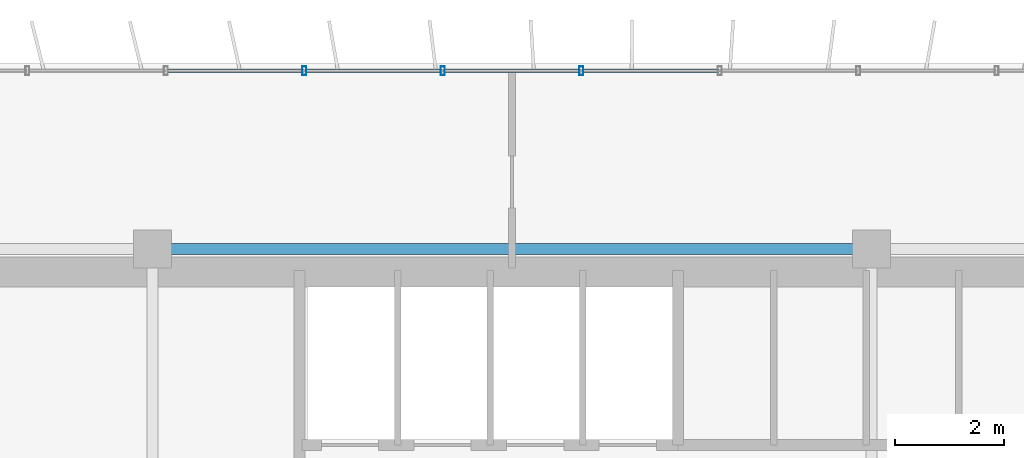
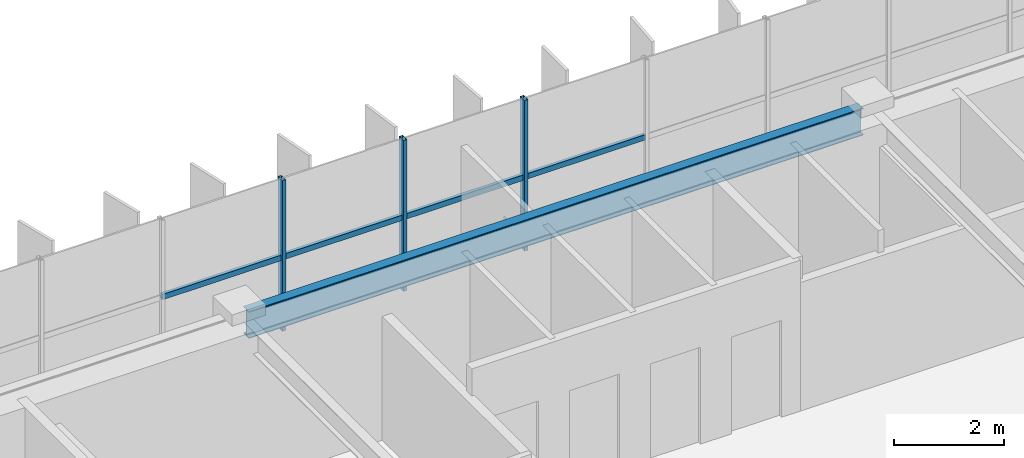
# One storey, part 10 of 24: 7 members, 1 beam, 1 element without a shape of its own.
"""IFC4 building model written with IfcOpenShell, lengths in metres."""

import ifcopenshell
import ifcopenshell.guid

model = None  # the IFC model being written
_history = None  # IfcOwnerHistory: only IFC2X3 demands one
_inside = {}  # id of a spatial element -> (the spatial element, [elements in it])
_under = {}  # id of a project, library or spatial element -> (it, [spatial elements below it])
_declared = {}  # id of a project -> (the project, [libraries it declares])
_typed = {}  # id of a type object -> (the type object, [elements of that type])
_made_of = {}  # id of a material, layer set ... -> (it, [elements and type objects made of it])


def new_model(schema):
    """Start an empty IFC model of exactly this schema.

    Asked for "IFC4X3", IfcOpenShell would pick the latest addendum, in which some entities
    have other attributes; the version numbers below select the first issue.
    IFC2X3 requires an IfcOwnerHistory on every rooted entity: one is made here for all.
    """
    global model, _history
    if schema == "IFC4X3":
        model = ifcopenshell.file(schema_version=(4, 3, 0, 0))
    else:
        model = ifcopenshell.file(schema=schema)
    _inside.clear()
    _under.clear()
    _declared.clear()
    _typed.clear()
    _made_of.clear()
    _history = None
    if model.schema == "IFC2X3":
        org = make("IfcOrganization", Name="unknown")
        user = make(
            "IfcPersonAndOrganization",
            ThePerson=make("IfcPerson", FamilyName="unknown"),
            TheOrganization=org,
        )
        app = make(
            "IfcApplication",
            ApplicationDeveloper=org,
            Version="unknown",
            ApplicationFullName="unknown",
            ApplicationIdentifier="unknown",
        )
        _history = make(
            "IfcOwnerHistory",
            OwningUser=user,
            OwningApplication=app,
            ChangeAction="ADDED",
            CreationDate=0,
        )
    return model


def make(cls, **values):
    """One entity of the class cls with the attributes given. An attribute that is None is left unset."""
    return model.create_entity(
        cls, **{name: value for name, value in values.items() if value is not None}
    )


def rooted(cls, **values):
    """An entity with a GlobalId (a new one), such as an element, a storey or a relation."""
    return make(cls, GlobalId=ifcopenshell.guid.new(), OwnerHistory=_history, **values)


def si_unit(unit_type, name, prefix=None):
    """IfcSIUnit, for example si_unit("LENGTHUNIT", "METRE", prefix="MILLI")."""
    return make("IfcSIUnit", UnitType=unit_type, Prefix=prefix, Name=name)


def assignment(units):
    """IfcUnitAssignment: the units of a project."""
    return None if units is None else make("IfcUnitAssignment", Units=units)


def point(xyz):
    """IfcCartesianPoint."""
    return None if xyz is None else make("IfcCartesianPoint", Coordinates=xyz)


def direction(xyz):
    """IfcDirection."""
    return None if xyz is None else make("IfcDirection", DirectionRatios=xyz)


def frame(location, z_axis=None, x_axis=None):
    """IfcAxis2Placement3D, a coordinate frame: its origin and axes. An axis left out is left unset."""
    return make(
        "IfcAxis2Placement3D",
        Location=point(location),
        Axis=direction(z_axis),
        RefDirection=direction(x_axis),
    )


def frame_2d(location, x_axis=None):
    """IfcAxis2Placement2D, a coordinate frame in the plane: its origin and x axis."""
    return make(
        "IfcAxis2Placement2D", Location=point(location), RefDirection=direction(x_axis)
    )


def origin():
    """The frame at (0, 0, 0) with its axes left unset."""
    return frame((0.0, 0.0, 0.0))


def origin_2d():
    """The frame at (0, 0) in the plane with its x axis left unset."""
    return frame_2d((0.0, 0.0))


def place(relative_to, where):
    """IfcLocalPlacement: puts the frame where relative to a parent placement (None: the world)."""
    return make(
        "IfcLocalPlacement", PlacementRelTo=relative_to, RelativePlacement=where
    )


def context(
    kind, dimensions, precision=None, world=None, true_north=None, identifier=None
):
    """IfcGeometricRepresentationContext, for example the 3D "Model" context."""
    return make(
        "IfcGeometricRepresentationContext",
        ContextIdentifier=identifier,
        ContextType=kind,
        CoordinateSpaceDimension=dimensions,
        Precision=precision,
        WorldCoordinateSystem=world,
        TrueNorth=true_north,
    )


def subcontext(parent, identifier, kind, view, scale=None):
    """IfcGeometricRepresentationSubContext, for example "Body" below "Model"."""
    return make(
        "IfcGeometricRepresentationSubContext",
        ContextIdentifier=identifier,
        ContextType=kind,
        ParentContext=parent,
        TargetScale=scale,
        TargetView=view,
    )


def project(units=None, contexts=None):
    """IfcProject with its units and contexts."""
    return rooted(
        "IfcProject",
        Name="project",
        RepresentationContexts=contexts,
        UnitsInContext=assignment(units),
    )


def spatial(cls, under=None, at=None, **own):
    """A site, building, storey or space (cls), placed at a placement, below another one or the project."""
    s = rooted(cls, ObjectPlacement=at, **own)
    if under is not None:
        _under.setdefault(under.id(), (under, []))[1].append(s)
    return s


def profile(cls, at=None, kind="AREA", **sizes):
    """A parametric profile (cls). Its sizes go by their IFC names, for example OverallWidth=200.0."""
    return make(cls, ProfileType=kind, Position=at, **sizes)


def hollow_rectangle(**sizes):
    """IfcRectangleHollowProfileDef."""
    return profile("IfcRectangleHollowProfileDef", **sizes)


def i_section(**sizes):
    """IfcIShapeProfileDef."""
    return profile("IfcIShapeProfileDef", **sizes)


def extrude(swept, where, along, depth):
    """IfcExtrudedAreaSolid: the profile swept, set in the frame where, extruded along a direction by depth."""
    return make(
        "IfcExtrudedAreaSolid",
        SweptArea=swept,
        Position=where,
        ExtrudedDirection=direction(along),
        Depth=depth,
    )


def shape(context_of_items, identifier, shape_type, items):
    """IfcShapeRepresentation: the items that make up one representation, for example the "Body"."""
    return make(
        "IfcShapeRepresentation",
        ContextOfItems=context_of_items,
        RepresentationIdentifier=identifier,
        RepresentationType=shape_type,
        Items=items,
    )


def source(mapping_origin, context_of_items, identifier, shape_type, items):
    """IfcRepresentationMap: a shape defined once, which mapped items show again and again."""
    return make(
        "IfcRepresentationMap",
        MappingOrigin=mapping_origin,
        MappedRepresentation=shape(context_of_items, identifier, shape_type, items),
    )


def transform(
    local_origin,
    x_axis=None,
    y_axis=None,
    z_axis=None,
    scale=None,
    scale2=None,
    scale3=None,
    uniform=True,
):
    """IfcCartesianTransformationOperator3D, or its non-uniform kind. x_axis, y_axis, z_axis: its Axis1, 2, 3."""
    if uniform:
        return make(
            "IfcCartesianTransformationOperator3D",
            Axis1=direction(x_axis),
            Axis2=direction(y_axis),
            LocalOrigin=point(local_origin),
            Scale=scale,
            Axis3=direction(z_axis),
        )
    return make(
        "IfcCartesianTransformationOperator3DnonUniform",
        Axis1=direction(x_axis),
        Axis2=direction(y_axis),
        LocalOrigin=point(local_origin),
        Scale=scale,
        Axis3=direction(z_axis),
        Scale2=scale2,
        Scale3=scale3,
    )


def mapped(mapping_source, mapping_target):
    """IfcMappedItem: shows the shape of a source again, moved by a transform."""
    return make(
        "IfcMappedItem", MappingSource=mapping_source, MappingTarget=mapping_target
    )


def material(Name=None, Category=None):
    """IfcMaterial."""
    return make("IfcMaterial", Name=Name, Category=Category)


def material_profile(
    of_material, cross_section, Name=None, Category=None, Priority=None
):
    """IfcMaterialProfile: a cross section and its material."""
    return make(
        "IfcMaterialProfile",
        Name=Name,
        Material=of_material,
        Profile=cross_section,
        Priority=Priority,
        Category=Category,
    )


def profile_set(profiles, Name=None, composite=None):
    """IfcMaterialProfileSet."""
    return make(
        "IfcMaterialProfileSet",
        Name=Name,
        MaterialProfiles=profiles,
        CompositeProfile=composite,
    )


def made_of(thing, what):
    """Note that an element or type object is made of a material, layer set ...; save() writes the relation."""
    if what is not None:
        _made_of.setdefault(what.id(), (what, []))[1].append(thing)
    return thing


def type_object(cls, material=None, **own):
    """A type object (cls), such as IfcWallType, which elements share."""
    return made_of(rooted(cls, **own), material)


def element(
    cls,
    number,
    at=None,
    inside=None,
    cuts=None,
    type_object=None,
    material=None,
    context=None,
    identifier="Body",
    shape_type=None,
    held_by="IfcProductDefinitionShape",
    body=None,
    shapes=None,
    **own,
):
    """One element of the class cls, such as IfcWall. Its Tag is "e" and its number.

    at: its placement. inside: the storey or other place that contains it. cuts: it is an
    opening in that element (IfcRelVoidsElement). A single representation is given by context,
    identifier, shape_type and body (its items); several are given by shapes. held_by: the class
    of the entity that holds the representations. save() writes the other relations.
    """
    e = rooted(cls, Tag="e%d" % number, ObjectPlacement=at, **own)
    if body is not None:
        shapes = [shape(context, identifier, shape_type, body)]
    if shapes is not None:
        e.Representation = make(held_by, Representations=shapes)
    if inside is not None:
        _inside.setdefault(inside.id(), (inside, []))[1].append(e)
    if cuts is not None:
        rooted(
            "IfcRelVoidsElement", RelatingBuildingElement=cuts, RelatedOpeningElement=e
        )
    if type_object is not None:
        _typed.setdefault(type_object.id(), (type_object, []))[1].append(e)
    return made_of(e, material)


def aggregate(whole, parts):
    """IfcRelAggregates: a whole, such as a stair, and the parts it consists of."""
    return rooted("IfcRelAggregates", RelatingObject=whole, RelatedObjects=parts)


def save(model, path):
    """Write the relations noted so far, then the file.

    IfcRelAggregates (storeys below a building ...), IfcRelContainedInSpatialStructure (elements
    in a storey), IfcRelDefinesByType, IfcRelAssociatesMaterial and IfcRelDeclares: one each for
    every whole, place, type object, material and project.
    """
    for whole, parts in _under.values():
        aggregate(whole, parts)
    for where, things in _inside.values():
        rooted(
            "IfcRelContainedInSpatialStructure",
            RelatedElements=things,
            RelatingStructure=where,
        )
    for kind, things in _typed.values():
        rooted("IfcRelDefinesByType", RelatedObjects=things, RelatingType=kind)
    for what, things in _made_of.values():
        rooted("IfcRelAssociatesMaterial", RelatedObjects=things, RelatingMaterial=what)
    for by, libraries in _declared.values():
        rooted("IfcRelDeclares", RelatingContext=by, RelatedDefinitions=libraries)
    model.write(path)


model = new_model("IFC4")

# Units and contexts
model_context = context("Model", 3, precision=1e-05, world=origin(), true_north=direction((0.0, 1.0)))
body_context = subcontext(model_context, "Body", "Model", "MODEL_VIEW")
ifc_project = project(units=[si_unit("LENGTHUNIT", "METRE"), si_unit("AREAUNIT", "SQUARE_METRE"), si_unit("VOLUMEUNIT", "CUBIC_METRE"), si_unit("PLANEANGLEUNIT", "RADIAN"), si_unit("MASSUNIT", "GRAM", prefix="KILO")], contexts=[model_context])

# Site, building, storey
site_placement = place(None, origin())
site = spatial("IfcSite", under=ifc_project, at=site_placement, CompositionType="ELEMENT")
building_placement = place(site_placement, origin())
building = spatial("IfcBuilding", under=site, at=building_placement, Name="Trelvane Seafront Commons", CompositionType="ELEMENT")
storey_placement = place(building_placement, frame((0.0, 0.0, 175.300048828125)))
storey = spatial("IfcBuildingStorey", under=building, at=storey_placement, Name="L46", CompositionType="ELEMENT", Elevation=175.300048828125)

# Beam
ifc_material_1 = material(Name="Steel SM355 (S355)", Category="steel")
ifc_material_profile_1 = material_profile(ifc_material_1, i_section(OverallWidth=0.199951171875, OverallDepth=0.60009765625, WebThickness=0.010986328125, FlangeThickness=0.01708984375, at=origin_2d()), Name="H-600x200x11x17")
ifc_profile_set_1 = profile_set([ifc_material_profile_1], Name="Steel SM355 (S355)")
beam_type = type_object("IfcBeamType", Name="STR-SPD-H600", PredefinedType="SPANDREL", material=ifc_profile_set_1)
shared_shape_1 = source(origin(), body_context, "Body", "SweptSolid", [
    extrude(i_section(OverallWidth=0.199951171875, OverallDepth=0.60009765625, WebThickness=0.010986328125, FlangeThickness=0.01708984375, at=origin_2d()), origin(), (0.0, 0.0, 1.0), 12.89990234375),
])
beam_placement = place(storey_placement, frame((30.75, 45.10009765625, 3.050048828125), z_axis=(1.0, 0.0, 0.0), x_axis=(0.0, 1.0, 0.0)))
element("IfcBeam", 1, at=beam_placement, inside=storey, type_object=beam_type, Name="L46 Primary Girder G-25", PredefinedType="SPANDREL", context=body_context, shape_type="MappedRepresentation", body=[
    mapped(shared_shape_1, transform((0.0, 0.0, 0.0), x_axis=(1.0, 0.0, 0.0), y_axis=(0.0, 1.0, 0.0), z_axis=(0.0, 0.0, 1.0), scale=1.0)),
])

# Curtain wall, members
ifc_material_2 = material(Name="Anodised pale-silver aluminium", Category="aluminium")
curtain_wall_type = type_object("IfcCurtainWallType", Name="ARCH-CW5-UPTOWER", PredefinedType="NOTDEFINED", material=ifc_material_2)
curtain_wall_placement = place(storey_placement, origin())
curtain_wall = element("IfcCurtainWall", 2, at=curtain_wall_placement, inside=storey, type_object=curtain_wall_type, Name="CW-L46-0073", PredefinedType="NOTDEFINED")
ifc_material_profile_2 = material_profile(ifc_material_2, hollow_rectangle(XDim=0.070068359375, YDim=0.1201171875, WallThickness=0.00390625, at=origin_2d()), Name="TRAN-70x120x4")
ifc_profile_set_2 = profile_set([ifc_material_profile_2], Name="Anodised pale-silver aluminium")
member_type_1 = type_object("IfcMemberType", Name="ARCH-CW-TRAN-120", PredefinedType="USERDEFINED", material=ifc_profile_set_2)
shared_shape_2 = source(origin(), body_context, "Body", "SweptSolid", [
    extrude(hollow_rectangle(XDim=0.070068359375, YDim=0.1201171875, WallThickness=0.00390625, at=origin_2d()), origin(), (0.0, 0.0, 1.0), 2.51708984375),
])
member_1_placement = place(storey_placement, frame((30.859130859375, 48.3701171875, 1.60791015625), z_axis=(1.0, 0.0, 0.0), x_axis=(0.0, 1.0, 0.0)))
member_1 = element("IfcMember", 3, at=member_1_placement, type_object=member_type_1, Name="CW-L46-0073-T06", ObjectType="TRANSOM", PredefinedType="USERDEFINED", context=body_context, shape_type="MappedRepresentation", body=[
    mapped(shared_shape_2, transform((0.0, 0.0, 0.0), x_axis=(1.0, 0.0, 0.0), y_axis=(0.0, 1.0, 0.0), z_axis=(0.0, 0.0, 1.0), scale=1.0)),
])
member_2_placement = place(storey_placement, frame((35.94140625, 48.3701171875, 1.60791015625), z_axis=(1.0, 0.0, 0.0), x_axis=(0.0, 1.0, 0.0)))
member_2 = element("IfcMember", 4, at=member_2_placement, type_object=member_type_1, Name="CW-L46-0073-T08", ObjectType="TRANSOM", PredefinedType="USERDEFINED", context=body_context, shape_type="MappedRepresentation", body=[
    mapped(shared_shape_2, transform((0.0, 0.0, 0.0), x_axis=(1.0, 0.0, 0.0), y_axis=(0.0, 1.0, 0.0), z_axis=(0.0, 0.0, 1.0), scale=1.0)),
])
member_3_placement = place(storey_placement, frame((38.482666015625, 48.3701171875, 1.60791015625), z_axis=(1.0, 0.0, 0.0), x_axis=(0.0, 1.0, 0.0)))
member_3 = element("IfcMember", 5, at=member_3_placement, type_object=member_type_1, Name="CW-L46-0073-T09", ObjectType="TRANSOM", PredefinedType="USERDEFINED", context=body_context, shape_type="MappedRepresentation", body=[
    mapped(shared_shape_2, transform((0.0, 0.0, 0.0), x_axis=(1.0, 0.0, 0.0), y_axis=(0.0, 1.0, 0.0), z_axis=(0.0, 0.0, 1.0), scale=1.0)),
])
shared_shape_3 = source(origin(), body_context, "Body", "SweptSolid", [
    extrude(hollow_rectangle(XDim=0.070068359375, YDim=0.1201171875, WallThickness=0.00390625, at=origin_2d()), origin(), (0.0, 0.0, 1.0), 2.517333984375),
])
member_4_placement = place(storey_placement, frame((33.400146484375, 48.3701171875, 1.60791015625), z_axis=(1.0, 0.0, 0.0), x_axis=(0.0, 1.0, 0.0)))
member_4 = element("IfcMember", 6, at=member_4_placement, type_object=member_type_1, Name="CW-L46-0073-T07", ObjectType="TRANSOM", PredefinedType="USERDEFINED", context=body_context, shape_type="MappedRepresentation", body=[
    mapped(shared_shape_3, transform((0.0, 0.0, 0.0), x_axis=(1.0, 0.0, 0.0), y_axis=(0.0, 1.0, 0.0), z_axis=(0.0, 0.0, 1.0), scale=1.0)),
])
ifc_material_profile_3 = material_profile(ifc_material_2, hollow_rectangle(XDim=0.074951171875, YDim=0.159912109375, WallThickness=0.00390625, at=origin_2d()), Name="MULL-75x160x4")
ifc_profile_set_3 = profile_set([ifc_material_profile_3], Name="Anodised pale-silver aluminium")
member_type_2 = type_object("IfcMemberType", Name="ARCH-CW-MULL-160", PredefinedType="MULLION", material=ifc_profile_set_3)
shared_shape_4 = source(origin(), body_context, "Body", "SweptSolid", [
    extrude(hollow_rectangle(XDim=0.074951171875, YDim=0.159912109375, WallThickness=0.00390625, at=origin_2d()), origin(), (0.0, 0.0, 1.0), 3.349853515625),
])
member_5_placement = place(storey_placement, frame((33.38818359375, 48.3701171875, 0.0), z_axis=(0.0, 0.0, 1.0), x_axis=(1.0, 0.0, 0.0)))
member_5 = element("IfcMember", 7, at=member_5_placement, type_object=member_type_2, Name="CW-L46-0073-M07", PredefinedType="MULLION", context=body_context, shape_type="MappedRepresentation", body=[
    mapped(shared_shape_4, transform((0.0, 0.0, 0.0), x_axis=(1.0, 0.0, 0.0), y_axis=(0.0, 1.0, 0.0), z_axis=(0.0, 0.0, 1.0), scale=1.0)),
])
member_6_placement = place(storey_placement, frame((35.929443359375, 48.3701171875, 0.0), z_axis=(0.0, 0.0, 1.0), x_axis=(1.0, 0.0, 0.0)))
member_6 = element("IfcMember", 8, at=member_6_placement, type_object=member_type_2, Name="CW-L46-0073-M08", PredefinedType="MULLION", context=body_context, shape_type="MappedRepresentation", body=[
    mapped(shared_shape_4, transform((0.0, 0.0, 0.0), x_axis=(1.0, 0.0, 0.0), y_axis=(0.0, 1.0, 0.0), z_axis=(0.0, 0.0, 1.0), scale=1.0)),
])
member_7_placement = place(storey_placement, frame((38.470703125, 48.3701171875, 0.0), z_axis=(0.0, 0.0, 1.0), x_axis=(1.0, 0.0, 0.0)))
member_7 = element("IfcMember", 9, at=member_7_placement, type_object=member_type_2, Name="CW-L46-0073-M09", PredefinedType="MULLION", context=body_context, shape_type="MappedRepresentation", body=[
    mapped(shared_shape_4, transform((0.0, 0.0, 0.0), x_axis=(1.0, 0.0, 0.0), y_axis=(0.0, 1.0, 0.0), z_axis=(0.0, 0.0, 1.0), scale=1.0)),
])
aggregate(curtain_wall, [member_5, member_6, member_7, member_1, member_4, member_2, member_3])

save(model, "model.ifc")
